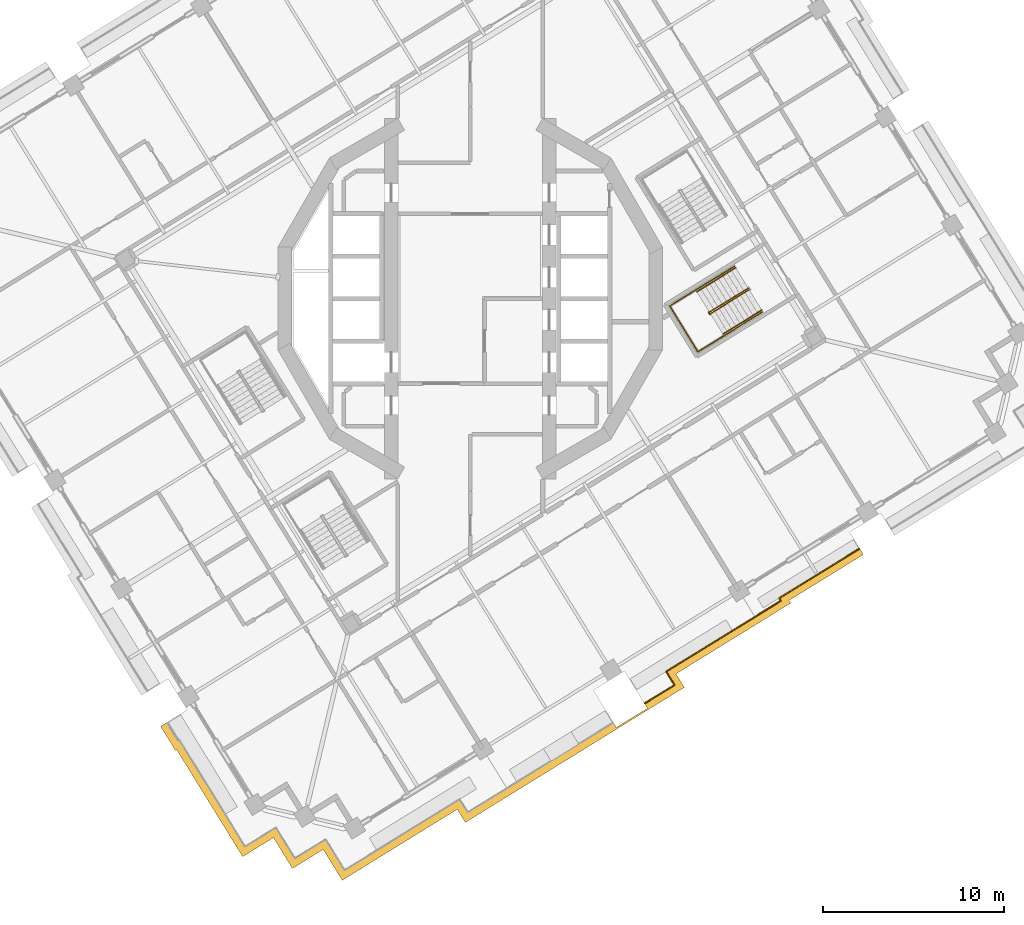
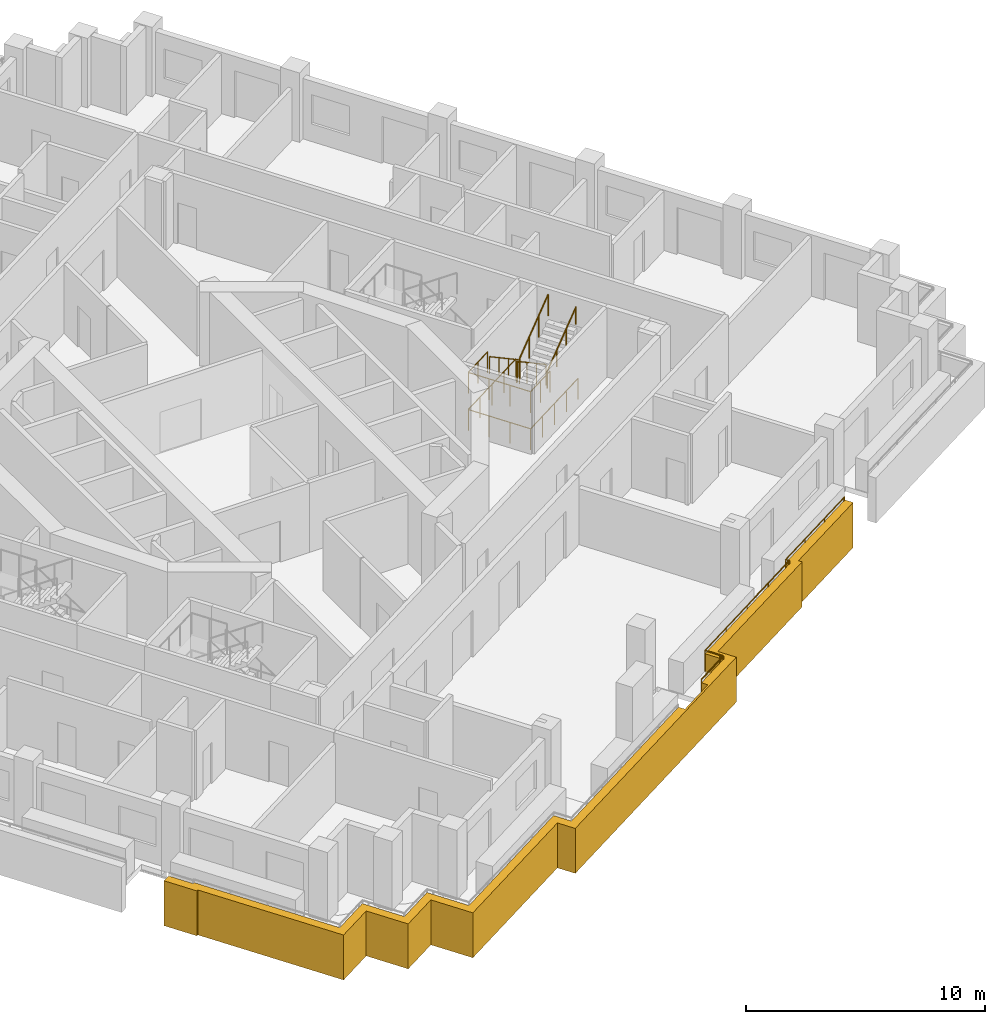
# One storey, part 16 of 21: 7 railings, 1 covering.
"""IFC4 building model written with IfcOpenShell, lengths in metres."""

from ifc_helpers import new_model, si_unit, direction, frame, origin, origin_2d, place, context, subcontext, project, spatial, polyline, circle, outline, extrude, material, type_object, element, save


model = new_model("IFC4")

# Units and contexts
model_context = context("Model", 3, precision=1e-05, world=origin(), true_north=direction((0.0, 1.0)))
body_context = subcontext(model_context, "Body", "Model", "MODEL_VIEW")
ifc_project = project(units=[si_unit("LENGTHUNIT", "METRE"), si_unit("AREAUNIT", "SQUARE_METRE"), si_unit("VOLUMEUNIT", "CUBIC_METRE"), si_unit("PLANEANGLEUNIT", "RADIAN"), si_unit("MASSUNIT", "GRAM", prefix="KILO")], contexts=[model_context])

# Site, building, storey
site_placement = place(None, origin())
site = spatial("IfcSite", under=ifc_project, at=site_placement, CompositionType="ELEMENT")
building_placement = place(site_placement, origin())
building = spatial("IfcBuilding", under=site, at=building_placement, Name="Cantera Rosa Tower", CompositionType="ELEMENT")
storey_placement = place(building_placement, frame((0.0, 0.0, 170.39990234375)))
storey = spatial("IfcBuildingStorey", under=building, at=storey_placement, Name="L37", CompositionType="ELEMENT", Elevation=170.39990234375)

# Railings
ifc_material_1 = material(Name="Stainless steel and laminated glass", Category="steel")
railing_type_1 = type_object("IfcRailingType", Name="GUARD 1100", PredefinedType="BALUSTRADE", material=ifc_material_1)
railing_1_placement = place(storey_placement, frame((21.505615234375, -13.817138671875, 0.0)))
element("IfcRailing", 1, at=railing_1_placement, inside=storey, type_object=railing_type_1, Name="GUARD L37-8", PredefinedType="BALUSTRADE", context=body_context, shape_type="SweptSolid", body=[
    extrude(circle(Radius=0.030029296875, at=origin_2d()), frame((0.0, 0.0, 1.070068359375), z_axis=(-0.850339408664, -0.52623463405, 0.0), x_axis=(0.52623463405, -0.850339408664, 0.0)), (0.0, 0.0, 1.0), 0.070068359375),
    extrude(circle(Radius=0.030029296875, at=origin_2d()), frame((-0.0595703125, -0.036865234375, 1.070068359375), z_axis=(-0.85112174284, -0.52496835987, 0.0), x_axis=(0.52496835987, -0.85112174284, 0.0)), (0.0, 0.0, 1.0), 5.14404296875),
    extrude(circle(Radius=0.030029296875, at=origin_2d()), frame((-4.437744140625, -2.7373046875, 1.070068359375), z_axis=(0.525256814591, -0.850943757675, 0.0), x_axis=(0.850943757675, 0.525256814591, 0.0)), (0.0, 0.0, 1.0), 0.17626953125),
    extrude(circle(Radius=0.030029296875, at=origin_2d()), frame((-4.34521484375, -2.88720703125, 1.070068359375), z_axis=(-0.85111711572, -0.524975861662, 0.0), x_axis=(0.524975861662, -0.85111711572, 0.0)), (0.0, 0.0, 1.0), 7.44091796875),
    extrude(circle(Radius=0.030029296875, at=origin_2d()), frame((-10.67822265625, -6.79345703125, 1.070068359375), z_axis=(-0.808736084303, -0.588171697675, 0.0), x_axis=(0.588171697675, -0.808736084303, 0.0)), (0.0, 0.0, 1.0), 0.00341796875),
    extrude(circle(Radius=0.030029296875, at=origin_2d()), frame((-10.680908203125, -6.79541015625, 1.070068359375), z_axis=(0.503871025524, -0.863778900898, 0.0), x_axis=(0.863778900898, 0.503871025524, 0.0)), (0.0, 0.0, 1.0), 0.00341796875),
    extrude(circle(Radius=0.030029296875, at=origin_2d()), frame((-10.67919921875, -6.79833984375, 1.070068359375), z_axis=(0.525096906328, -0.851042442517, 0.0), x_axis=(0.851042442517, 0.525096906328, 0.0)), (0.0, 0.0, 1.0), 0.72216796875),
    extrude(circle(Radius=0.030029296875, at=origin_2d()), frame((-10.300048828125, -7.412841796875, 1.070068359375), z_axis=(0.0, -1.0, 0.0), x_axis=(1.0, 0.0, 0.0)), (0.0, 0.0, 1.0), 0.000244140625),
    extrude(circle(Radius=0.030029296875, at=origin_2d()), frame((-10.300048828125, -7.4130859375, 1.070068359375), z_axis=(0.525006823148, -0.85109801765, 0.0), x_axis=(0.85109801765, 0.525006823148, 0.0)), (0.0, 0.0, 1.0), 0.149658203125),
    extrude(circle(Radius=0.030029296875, at=origin_2d()), frame((-10.221435546875, -7.54052734375, 1.070068359375), z_axis=(-0.851095190476, -0.525011406304, 0.0), x_axis=(0.525011406304, -0.851095190476, 0.0)), (0.0, 0.0, 1.0), 1.921875),
    extrude(circle(Radius=0.02490234375, at=origin_2d()), origin(), (0.0, 0.0, 1.0), 1.0400390625),
    extrude(circle(Radius=0.02490234375, at=origin_2d()), frame((-0.0595703125, -0.036865234375, 0.0)), (0.0, 0.0, 1.0), 1.0400390625),
    extrude(circle(Radius=0.02490234375, at=origin_2d()), frame((-1.51904296875, -0.93701171875, 0.0)), (0.0, 0.0, 1.0), 1.0400390625),
    extrude(circle(Radius=0.02490234375, at=origin_2d()), frame((-2.978271484375, -1.837158203125, 0.0)), (0.0, 0.0, 1.0), 1.0400390625),
    extrude(circle(Radius=0.02490234375, at=origin_2d()), frame((-4.437744140625, -2.7373046875, 0.0)), (0.0, 0.0, 1.0), 1.0400390625),
    extrude(circle(Radius=0.02490234375, at=origin_2d()), frame((-4.34521484375, -2.88720703125, 0.0)), (0.0, 0.0, 1.0), 1.0400390625),
    extrude(circle(Radius=0.02490234375, at=origin_2d()), frame((-5.928466796875, -3.86376953125, 0.0)), (0.0, 0.0, 1.0), 1.0400390625),
    extrude(circle(Radius=0.02490234375, at=origin_2d()), frame((-7.51171875, -4.84033203125, 0.0)), (0.0, 0.0, 1.0), 1.0400390625),
    extrude(circle(Radius=0.02490234375, at=origin_2d()), frame((-9.094970703125, -5.81689453125, 0.0)), (0.0, 0.0, 1.0), 1.0400390625),
    extrude(circle(Radius=0.02490234375, at=origin_2d()), frame((-10.67822265625, -6.79345703125, 0.0)), (0.0, 0.0, 1.0), 1.0400390625),
    extrude(circle(Radius=0.02490234375, at=origin_2d()), frame((-10.680908203125, -6.79541015625, 0.0)), (0.0, 0.0, 1.0), 1.0400390625),
    extrude(circle(Radius=0.02490234375, at=origin_2d()), frame((-10.67919921875, -6.79833984375, 0.0)), (0.0, 0.0, 1.0), 1.0400390625),
    extrude(circle(Radius=0.02490234375, at=origin_2d()), frame((-10.300048828125, -7.412841796875, 0.0)), (0.0, 0.0, 1.0), 1.0400390625),
    extrude(circle(Radius=0.02490234375, at=origin_2d()), frame((-10.300048828125, -7.4130859375, 0.0)), (0.0, 0.0, 1.0), 1.0400390625),
    extrude(circle(Radius=0.02490234375, at=origin_2d()), frame((-10.221435546875, -7.54052734375, 0.0)), (0.0, 0.0, 1.0), 1.0400390625),
    extrude(circle(Radius=0.02490234375, at=origin_2d()), frame((-11.857177734375, -8.549560546875, 0.0)), (0.0, 0.0, 1.0), 1.0400390625),
])
ifc_material_2 = material(Name="Steel S355J2 (EN 10025-2)", Category="steel")
railing_type_2 = type_object("IfcRailingType", Name="STAIR GUARD 1100", PredefinedType="GUARDRAIL", material=ifc_material_2)
railing_2_placement = place(storey_placement, frame((15.36572265625, 0.57666015625, 0.190185546875)))
element("IfcRailing", 2, at=railing_2_placement, inside=storey, type_object=railing_type_2, Name="L37 ST-34 stair guard 1", PredefinedType="GUARDRAIL", context=body_context, shape_type="SweptSolid", body=[
    extrude(circle(Radius=0.02392578125, at=origin_2d()), frame((0.0, 0.0, 1.076171875), z_axis=(-0.704271375033, -0.434427613125, 0.561493080334), x_axis=(0.524999832248, -0.851102330005, 0.0)), (0.0, 0.0, 1.0), 3.04541015625),
    extrude(circle(Radius=0.02392578125, at=origin_2d()), frame((-2.144775390625, -1.322998046875, 2.7861328125), z_axis=(-0.997279572494, -0.073711968402, 0.0), x_axis=(0.073711968402, -0.997279572494, 0.0)), (0.0, 0.0, 1.0), 0.056396484375),
    extrude(circle(Radius=0.02392578125, at=origin_2d()), frame((-2.200927734375, -1.3271484375, 2.7861328125), z_axis=(0.525458245725, -0.850819388589, 0.0), x_axis=(0.850819388589, 0.525458245725, 0.0)), (0.0, 0.0, 1.0), 0.150146484375),
    extrude(circle(Radius=0.02099609375, at=origin_2d()), origin(), (0.0, 0.0, 1.0), 1.052001953125),
    extrude(circle(Radius=0.02099609375, at=origin_2d()), frame((-0.71484375, -0.44091796875, 0.570068359375)), (0.0, 0.0, 1.0), 1.052001953125),
    extrude(circle(Radius=0.02099609375, at=origin_2d()), frame((-1.429931640625, -0.882080078125, 1.139892578125)), (0.0, 0.0, 1.0), 1.052001953125),
    extrude(circle(Radius=0.02099609375, at=origin_2d()), frame((-2.144775390625, -1.322998046875, 1.7099609375)), (0.0, 0.0, 1.0), 1.052001953125),
    extrude(circle(Radius=0.02099609375, at=origin_2d()), frame((-2.200927734375, -1.3271484375, 1.7099609375)), (0.0, 0.0, 1.0), 1.052001953125),
    extrude(circle(Radius=0.02099609375, at=origin_2d()), frame((-2.1220703125, -1.454833984375, 1.7099609375)), (0.0, 0.0, 1.0), 1.052001953125),
])
railing_3_placement = place(storey_placement, frame((13.2724609375, -0.82958984375, 2.090087890625)))
element("IfcRailing", 3, at=railing_3_placement, inside=storey, type_object=railing_type_2, Name="L37 ST-34 stair guard 2", PredefinedType="GUARDRAIL", context=body_context, shape_type="SweptSolid", body=[
    extrude(circle(Radius=0.02392578125, at=origin_2d()), frame((0.0, 0.0, 1.076171875), z_axis=(0.70429590169, 0.434362572038, 0.561512634654), x_axis=(-0.524929648476, 0.851145618652, 0.0)), (0.0, 0.0, 1.0), 3.045166015625),
    extrude(circle(Radius=0.02099609375, at=origin_2d()), origin(), (0.0, 0.0, 1.0), 1.052001953125),
    extrude(circle(Radius=0.02099609375, at=origin_2d()), frame((0.71484375, 0.44091796875, 0.570068359375)), (0.0, 0.0, 1.0), 1.052001953125),
    extrude(circle(Radius=0.02099609375, at=origin_2d()), frame((1.429931640625, 0.8818359375, 1.139892578125)), (0.0, 0.0, 1.0), 1.052001953125),
    extrude(circle(Radius=0.02099609375, at=origin_2d()), frame((2.144775390625, 1.32275390625, 1.7099609375)), (0.0, 0.0, 1.0), 1.052001953125),
])
railing_4_placement = place(storey_placement, frame((14.601806640625, 1.79248046875, 0.0)))
element("IfcRailing", 4, at=railing_4_placement, inside=storey, type_object=railing_type_2, Name="L37 ST-34 stair guard 4", PredefinedType="GUARDRAIL", context=body_context, shape_type="SweptSolid", body=[
    extrude(circle(Radius=0.02392578125, at=origin_2d()), frame((0.0, 0.0, 1.076171875), z_axis=(-0.851116735059, -0.524976478809, 0.0), x_axis=(0.524976478809, -0.851116735059, 0.0)), (0.0, 0.0, 1.0), 4.197998046875),
    extrude(circle(Radius=0.02392578125, at=origin_2d()), frame((-3.572998046875, -2.203857421875, 1.076171875), z_axis=(0.524950242429, -0.851132917336, 0.0), x_axis=(0.851132917336, 0.524950242429, 0.0)), (0.0, 0.0, 1.0), 2.969970703125),
    extrude(circle(Radius=0.02392578125, at=origin_2d()), frame((-2.013916015625, -4.731689453125, 1.076171875), z_axis=(0.851116735059, 0.524976478809, 0.0), x_axis=(-0.524976478809, 0.851116735059, 0.0)), (0.0, 0.0, 1.0), 4.197998046875),
    extrude(circle(Radius=0.02099609375, at=origin_2d()), origin(), (0.0, 0.0, 1.0), 1.052001953125),
    extrude(circle(Radius=0.02099609375, at=origin_2d()), frame((-0.893310546875, -0.551025390625, 0.0)), (0.0, 0.0, 1.0), 1.052001953125),
    extrude(circle(Radius=0.02099609375, at=origin_2d()), frame((-1.78662109375, -1.10205078125, 0.0)), (0.0, 0.0, 1.0), 1.052001953125),
    extrude(circle(Radius=0.02099609375, at=origin_2d()), frame((-2.6796875, -1.65283203125, 0.0)), (0.0, 0.0, 1.0), 1.052001953125),
    extrude(circle(Radius=0.02099609375, at=origin_2d()), frame((-3.572998046875, -2.203857421875, 0.0)), (0.0, 0.0, 1.0), 1.052001953125),
    extrude(circle(Radius=0.02099609375, at=origin_2d()), frame((-3.05322265625, -3.04638671875, 0.0)), (0.0, 0.0, 1.0), 1.052001953125),
    extrude(circle(Radius=0.02099609375, at=origin_2d()), frame((-2.53369140625, -3.88916015625, 0.0)), (0.0, 0.0, 1.0), 1.052001953125),
    extrude(circle(Radius=0.02099609375, at=origin_2d()), frame((-2.013916015625, -4.731689453125, 0.0)), (0.0, 0.0, 1.0), 1.052001953125),
    extrude(circle(Radius=0.02099609375, at=origin_2d()), frame((-1.12060546875, -4.1806640625, 0.0)), (0.0, 0.0, 1.0), 1.052001953125),
    extrude(circle(Radius=0.02099609375, at=origin_2d()), frame((-0.2275390625, -3.6298828125, 0.0)), (0.0, 0.0, 1.0), 1.052001953125),
    extrude(circle(Radius=0.02099609375, at=origin_2d()), frame((0.665771484375, -3.078857421875, 0.0)), (0.0, 0.0, 1.0), 1.052001953125),
    extrude(circle(Radius=0.02099609375, at=origin_2d()), frame((1.55908203125, -2.52783203125, 0.0)), (0.0, 0.0, 1.0), 1.052001953125),
])
railing_5_placement = place(storey_placement, frame((12.477294921875, 0.482177734375, 1.900146484375)))
element("IfcRailing", 5, at=railing_5_placement, inside=storey, type_object=railing_type_2, Name="L37 ST-34 stair guard 5", PredefinedType="GUARDRAIL", context=body_context, shape_type="SweptSolid", body=[
    extrude(circle(Radius=0.02392578125, at=origin_2d()), frame((0.0, 0.0, 1.076171875), z_axis=(-0.851086474909, -0.525025534833, 0.0), x_axis=(0.525025534833, -0.851086474909, 0.0)), (0.0, 0.0, 1.0), 1.701904296875),
    extrude(circle(Radius=0.02392578125, at=origin_2d()), frame((-1.448486328125, -0.8935546875, 1.076171875), z_axis=(0.524950242429, -0.851132917336, 0.0), x_axis=(0.851132917336, 0.524950242429, 0.0)), (0.0, 0.0, 1.0), 2.969970703125),
    extrude(circle(Radius=0.02392578125, at=origin_2d()), frame((0.110595703125, -3.42138671875, 1.076171875), z_axis=(0.851126009811, 0.524961441845, 0.0), x_axis=(-0.524961441845, 0.851126009811, 0.0)), (0.0, 0.0, 1.0), 1.7021484375),
    extrude(circle(Radius=0.02099609375, at=origin_2d()), origin(), (0.0, 0.0, 1.0), 1.052001953125),
    extrude(circle(Radius=0.02099609375, at=origin_2d()), frame((-0.72412109375, -0.44677734375, 0.0)), (0.0, 0.0, 1.0), 1.052001953125),
    extrude(circle(Radius=0.02099609375, at=origin_2d()), frame((-1.448486328125, -0.8935546875, 0.0)), (0.0, 0.0, 1.0), 1.052001953125),
    extrude(circle(Radius=0.02099609375, at=origin_2d()), frame((-0.9287109375, -1.736083984375, 0.0)), (0.0, 0.0, 1.0), 1.052001953125),
    extrude(circle(Radius=0.02099609375, at=origin_2d()), frame((-0.4091796875, -2.578857421875, 0.0)), (0.0, 0.0, 1.0), 1.052001953125),
    extrude(circle(Radius=0.02099609375, at=origin_2d()), frame((0.110595703125, -3.42138671875, 0.0)), (0.0, 0.0, 1.0), 1.052001953125),
    extrude(circle(Radius=0.02099609375, at=origin_2d()), frame((0.8349609375, -2.974609375, 0.0)), (0.0, 0.0, 1.0), 1.052001953125),
    extrude(circle(Radius=0.02099609375, at=origin_2d()), frame((1.559326171875, -2.52783203125, 0.0)), (0.0, 0.0, 1.0), 1.052001953125),
])
ifc_material_3 = material(Name="Steel S355J2 (EN 10025-2)", Category="steel")
railing_type_3 = type_object("IfcRailingType", Name="STAIR HANDRAIL 900", PredefinedType="HANDRAIL", material=ifc_material_3)
railing_6_placement = place(storey_placement, frame((14.669677734375, 1.705322265625, 0.190185546875)))
element("IfcRailing", 6, at=railing_6_placement, inside=storey, type_object=railing_type_3, Name="L37 ST-34 stair handrail 1", PredefinedType="HANDRAIL", context=body_context, shape_type="SweptSolid", body=[
    extrude(circle(Radius=0.02392578125, at=origin_2d()), frame((0.0, 0.0, 0.8759765625), z_axis=(-0.704271375033, -0.434427613125, 0.561493080334), x_axis=(0.524999832248, -0.851102330005, 0.0)), (0.0, 0.0, 1.0), 3.04541015625),
    extrude(circle(Radius=0.02099609375, at=origin_2d()), origin(), (0.0, 0.0, 1.0), 0.851806640625),
    extrude(circle(Radius=0.02099609375, at=origin_2d()), frame((-0.71484375, -0.44091796875, 0.570068359375)), (0.0, 0.0, 1.0), 0.851806640625),
    extrude(circle(Radius=0.02099609375, at=origin_2d()), frame((-1.429931640625, -0.882080078125, 1.139892578125)), (0.0, 0.0, 1.0), 0.851806640625),
    extrude(circle(Radius=0.02099609375, at=origin_2d()), frame((-2.144775390625, -1.322998046875, 1.7099609375)), (0.0, 0.0, 1.0), 0.851806640625),
])
railing_7_placement = place(storey_placement, frame((13.968505859375, -1.958251953125, 2.090087890625)))
element("IfcRailing", 7, at=railing_7_placement, inside=storey, type_object=railing_type_3, Name="L37 ST-34 stair handrail 2", PredefinedType="HANDRAIL", context=body_context, shape_type="SweptSolid", body=[
    extrude(circle(Radius=0.02392578125, at=origin_2d()), frame((0.0, 0.0, 0.8759765625), z_axis=(0.704311776172, 0.434403086168, 0.561461379502), x_axis=(-0.524956545799, 0.851129029597, 0.0)), (0.0, 0.0, 1.0), 3.045654296875),
    extrude(circle(Radius=0.02099609375, at=origin_2d()), origin(), (0.0, 0.0, 1.0), 0.851806640625),
    extrude(circle(Radius=0.02099609375, at=origin_2d()), frame((0.715087890625, 0.44091796875, 0.570068359375)), (0.0, 0.0, 1.0), 0.851806640625),
    extrude(circle(Radius=0.02099609375, at=origin_2d()), frame((1.429931640625, 0.882080078125, 1.139892578125)), (0.0, 0.0, 1.0), 0.851806640625),
    extrude(circle(Radius=0.02099609375, at=origin_2d()), frame((2.14501953125, 1.322998046875, 1.7099609375)), (0.0, 0.0, 1.0), 0.851806640625),
])

# Covering
ifc_material_4 = material(Name="Cantera stone", Category="masonry")
covering_type = type_object("IfcCoveringType", Name="TRAY FASCIA 400", PredefinedType="CLADDING", material=ifc_material_4)
covering_placement = place(storey_placement, frame((0.0, 0.0, -1.39990234375)))
element("IfcCovering", 8, at=covering_placement, inside=storey, type_object=covering_type, Name="TRAY FASCIA L37-04", PredefinedType="CLADDING", context=body_context, shape_type="SweptSolid", body=[
    extrude(outline(polyline([(21.656005859375, -14.1943359375), (17.618408203125, -16.684814453125), (17.7109375, -16.834716796875), (11.375, -20.742919921875), (11.834716796875, -21.48828125), (-0.271484375, -28.955322265625), (-0.718505859375, -28.230224609375), (-5.28759765625, -31.04833984375), (-7.074951171875, -32.15087890625), (-8.124755859375, -30.44873046875), (-9.8271484375, -31.49853515625), (-10.876953125, -29.79638671875), (-12.579345703125, -30.84619140625), (-13.681640625, -29.05908203125), (-16.222900390625, -24.939208984375), (-16.29052734375, -24.98095703125), (-17.114501953125, -23.64501953125), (-16.774169921875, -23.43505859375), (-16.16015625, -24.4306640625), (-16.09228515625, -24.388916015625), (-13.34130859375, -28.848876953125), (-12.44873046875, -30.2958984375), (-11.001953125, -29.4033203125), (-10.74658203125, -29.245849609375), (-10.589111328125, -29.501220703125), (-9.696533203125, -30.9482421875), (-8.249755859375, -30.0556640625), (-7.994384765625, -29.898193359375), (-7.8369140625, -30.153564453125), (-6.9443359375, -31.600341796875), (-5.49755859375, -30.7080078125), (-0.588134765625, -27.679931640625), (-0.140869140625, -28.40478515625), (7.912109375, -23.4375), (8.068603515625, -23.69140625), (8.0693359375, -23.692138671875), (8.06982421875, -23.69287109375), (8.070556640625, -23.693603515625), (8.0712890625, -23.6943359375), (8.072265625, -23.69482421875), (8.072998046875, -23.6953125), (8.073974609375, -23.695556640625), (8.074951171875, -23.69580078125), (8.075927734375, -23.696044921875), (8.076904296875, -23.696044921875), (8.077880859375, -23.696044921875), (8.078857421875, -23.696044921875), (8.079833984375, -23.69580078125), (8.080810546875, -23.695556640625), (8.08154296875, -23.695068359375), (8.08251953125, -23.694580078125), (9.78466796875, -22.644775390625), (9.785400390625, -22.64404296875), (9.786376953125, -22.6435546875), (9.786865234375, -22.642822265625), (9.78759765625, -22.64208984375), (9.7880859375, -22.64111328125), (9.78857421875, -22.640380859375), (9.788818359375, -22.639404296875), (9.7890625, -22.638427734375), (9.789306640625, -22.637451171875), (9.78955078125, -22.636474609375), (9.78955078125, -22.635498046875), (9.789306640625, -22.634521484375), (9.7890625, -22.633544921875), (9.788818359375, -22.632568359375), (9.788330078125, -22.6318359375), (9.7880859375, -22.630859375), (9.63134765625, -22.377197265625), (11.2841796875, -21.357666015625), (10.824462890625, -20.6123046875), (17.160400390625, -16.704345703125), (17.06787109375, -16.554443359375), (21.446044921875, -13.85400390625), (21.5224609375, -13.806640625), (21.732666015625, -14.147216796875), (21.656005859375, -14.1943359375)])), origin(), (0.0, 0.0, 1.0), 2.300048828125),
])

save(model, "model.ifc")
